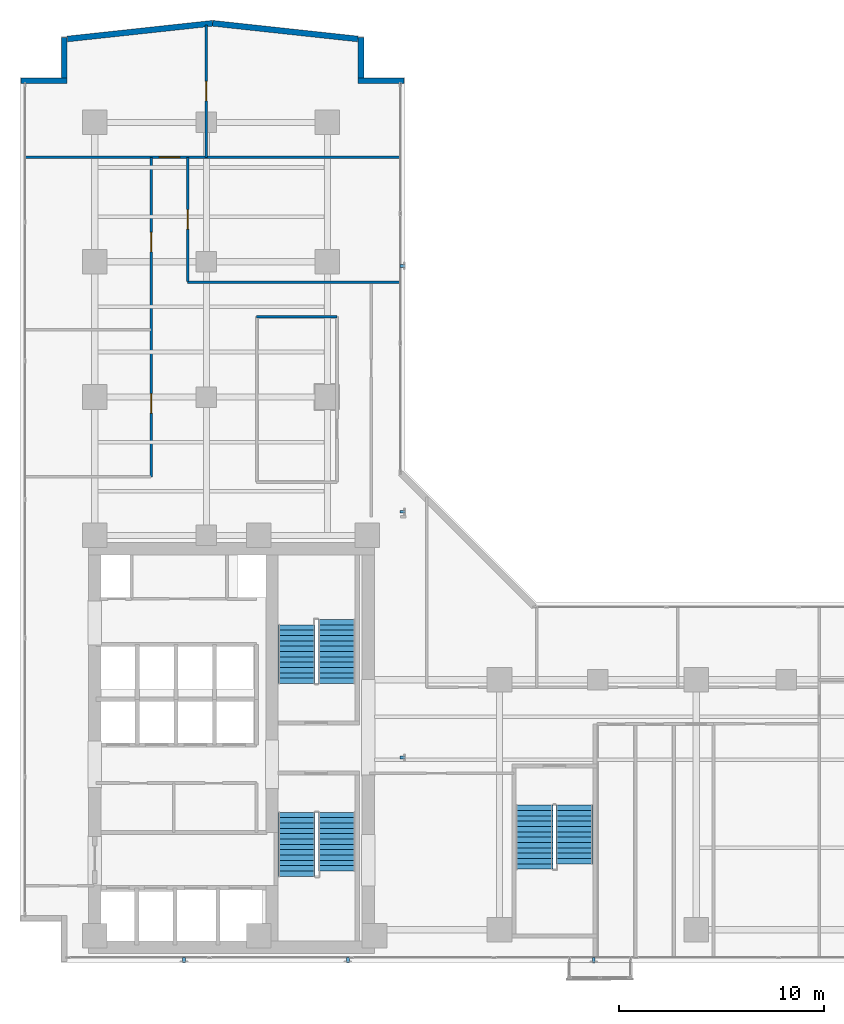
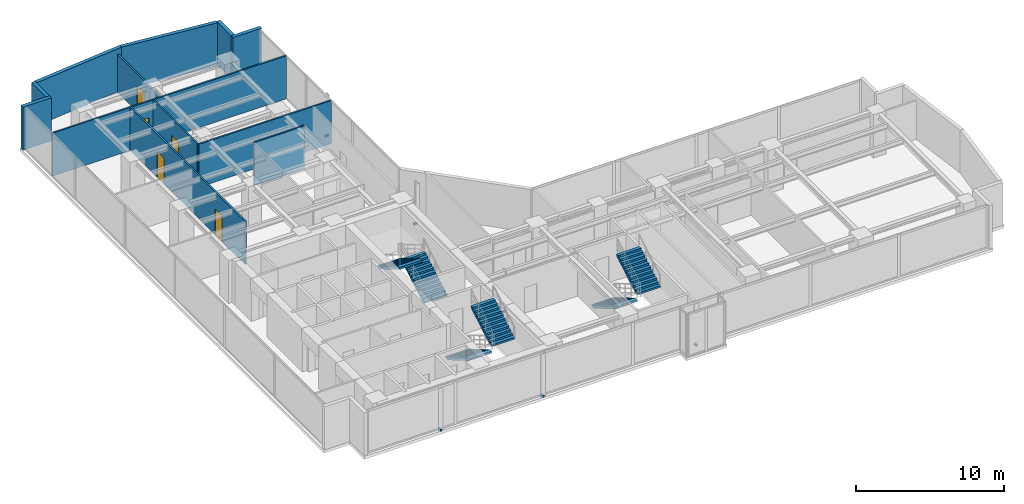
# One storey, part 21 of 23: 12 walls, 6 discrete accessories, 6 stair flights, 5 doors, 5 openings, 3 elements without a shape of their own.
"""IFC4 building model written with IfcOpenShell, lengths in metres."""

from ifc_helpers import new_model, si_unit, direction, frame, frame_2d, origin, origin_with_axes, origin_2d, place, context, subcontext, project, spatial, polyline, rectangle, outline, extrude, source, transform, mapped, material, layer, layer_set, type_object, element, fill, aggregate, save


model = new_model("IFC4")

# Units and contexts
model_context = context("Model", 3, precision=1e-05, world=origin(), true_north=direction((0.0, 1.0)))
body_context = subcontext(model_context, "Body", "Model", "MODEL_VIEW")
ifc_project = project(units=[si_unit("LENGTHUNIT", "METRE"), si_unit("AREAUNIT", "SQUARE_METRE"), si_unit("VOLUMEUNIT", "CUBIC_METRE"), si_unit("PLANEANGLEUNIT", "RADIAN"), si_unit("MASSUNIT", "GRAM", prefix="KILO")], contexts=[model_context])

# Site, building, storey
site_placement = place(None, origin())
site = spatial("IfcSite", under=ifc_project, at=site_placement, CompositionType="ELEMENT")
building_placement = place(site_placement, origin())
building = spatial("IfcBuilding", under=site, at=building_placement, Name="Kolvaren Waterfront Exchange", CompositionType="ELEMENT")
storey_placement = place(building_placement, frame((0.0, 0.0, 188.0)))
storey = spatial("IfcBuildingStorey", under=building, at=storey_placement, Name="L48", CompositionType="ELEMENT", Elevation=188.0)

# Walls
ifc_material_1 = material(Name="Precast concrete C40/50", Category="concrete")
ifc_layer_1 = layer(ifc_material_1, 0.280029296875, Name="Precast concrete C40/50")
ifc_layer_set_1 = layer_set([ifc_layer_1], Name="Precast concrete C40/50")
wall_type_1 = type_object("IfcWallType", Name="ARC-EXT-TERR-280", PredefinedType="SOLIDWALL", material=ifc_layer_set_1)
wall_1_placement = place(storey_placement, frame((20.300048828125, 46.639892578125, 0.0), z_axis=(0.0, 0.0, 1.0), x_axis=(1.0, 0.0, 0.0)))
element("IfcWall", 1, at=wall_1_placement, inside=storey, type_object=wall_type_1, Name="L48 notched corner spandrel pier NNE-A", PredefinedType="SOLIDWALL", context=body_context, shape_type="SweptSolid", body=[
    extrude(rectangle(XDim=2.239990234375, YDim=0.280029296875, at=frame_2d((1.1201171875, 0.0))), origin(), (0.0, 0.0, 1.0), 3.56005859375),
])
wall_2_placement = place(storey_placement, frame((20.43994140625, 46.780029296875, 0.0), z_axis=(0.0, 0.0, 1.0), x_axis=(0.0, 1.0, 0.0)))
element("IfcWall", 2, at=wall_2_placement, inside=storey, type_object=wall_type_1, Name="L48 notched corner spandrel pier NNE-B", PredefinedType="SOLIDWALL", context=body_context, shape_type="SweptSolid", body=[
    extrude(rectangle(XDim=1.9599609375, YDim=0.280029296875, at=frame_2d((0.97998046875, 0.0))), origin(), (0.0, 0.0, 1.0), 3.56005859375),
])
wall_3_placement = place(storey_placement, frame((3.860107421875, 46.639892578125, 0.0), z_axis=(0.0, 0.0, 1.0), x_axis=(1.0, 0.0, 0.0)))
element("IfcWall", 3, at=wall_3_placement, inside=storey, type_object=wall_type_1, Name="L48 notched corner spandrel pier NW-A", PredefinedType="SOLIDWALL", context=body_context, shape_type="SweptSolid", body=[
    extrude(rectangle(XDim=2.239990234375, YDim=0.280029296875, at=frame_2d((1.1201171875, 0.0))), origin(), (0.0, 0.0, 1.0), 3.56005859375),
])
wall_4_placement = place(storey_placement, frame((5.9599609375, 46.780029296875, 0.0), z_axis=(0.0, 0.0, 1.0), x_axis=(0.0, 1.0, 0.0)))
element("IfcWall", 4, at=wall_4_placement, inside=storey, type_object=wall_type_1, Name="L48 notched corner spandrel pier NW-B", PredefinedType="SOLIDWALL", context=body_context, shape_type="SweptSolid", body=[
    extrude(rectangle(XDim=1.9599609375, YDim=0.280029296875, at=frame_2d((0.97998046875, 0.0))), origin(), (0.0, 0.0, 1.0), 3.56005859375),
])
for number, where, z_axis, x_axis, name in (
    (5, (20.284423828125, 48.673095703125, 0.0), (0.0, 0.0, 1.0), (-0.994206651606, 0.107485505548, 0.0), "L48 north prow faceted facade wall 1"),
    (6, (13.197265625, 49.438720703125, 0.0), (0.0, 0.0, 1.0), (-0.994206651606, -0.107485505548, 0.0), "L48 north prow faceted facade wall 2"),
):
    element("IfcWall", number, at=place(storey_placement, frame(where, z_axis=z_axis, x_axis=x_axis)), inside=storey, type_object=wall_type_1, Name=name, PredefinedType="SOLIDWALL", context=body_context, shape_type="SweptSolid", body=[
        extrude(rectangle(XDim=7.123046875, YDim=0.280029296875, at=frame_2d((3.5615234375, 0.0))), origin(), (0.0, 0.0, 1.0), 3.56005859375),
    ])
ifc_material_2 = material(Name="Acoustic gypsum steel stud", Category="steel")
ifc_layer_2 = layer(ifc_material_2, 0.125, Name="Acoustic gypsum steel stud")
ifc_layer_set_2 = layer_set([ifc_layer_2], Name="Acoustic gypsum steel stud")
wall_type_2 = type_object("IfcWallType", Name="ARC-PART-125", PredefinedType="PARTITIONING", material=ifc_layer_set_2)
wall_5_placement = place(storey_placement, frame((15.35009765625, 35.1201171875, 0.0), z_axis=(0.0, 0.0, 1.0), x_axis=(1.0, 0.0, 0.0)))
element("IfcWall", 7, at=wall_5_placement, inside=storey, type_object=wall_type_2, Name="L48 interior wall PW-L48-ISL-N", PredefinedType="PARTITIONING", context=body_context, shape_type="SweptSolid", body=[
    extrude(rectangle(XDim=3.919921875, YDim=0.125, at=frame_2d((1.9599609375, 0.0))), origin(), (0.0, 0.0, 1.0), 3.56005859375),
])
wall_6_placement = place(storey_placement, frame((11.97998046875, 36.800048828125, 0.0), z_axis=(0.0, 0.0, 1.0), x_axis=(1.0, 0.0, 0.0)))
element("IfcWall", 8, at=wall_6_placement, inside=storey, type_object=wall_type_2, Name="L48 interior wall PW-L48-RFLANK-N", PredefinedType="PARTITIONING", context=body_context, shape_type="SweptSolid", body=[
    extrude(rectangle(XDim=10.380126953125, YDim=0.125, at=frame_2d((5.18994140625, 0.0))), origin(), (0.0, 0.0, 1.0), 3.56005859375),
])

# Wall, openings, doors
wall_7_placement = place(storey_placement, frame((10.199951171875, 27.300048828125, 0.0), z_axis=(0.0, 0.0, 1.0), x_axis=(0.0, 1.0, 0.0)))
wall_7 = element("IfcWall", 9, at=wall_7_placement, inside=storey, type_object=wall_type_2, Name="L48 interior wall PW-L48-NW-CORR", PredefinedType="PARTITIONING", context=body_context, shape_type="SweptSolid", body=[
    extrude(rectangle(XDim=15.599853515625, YDim=0.125, at=frame_2d((7.7998046875, 0.0))), origin(), (0.0, 0.0, 1.0), 3.56005859375),
])
opening_1_placement = place(wall_7_placement, frame((3.114990234375, 0.0, 0.0)))
opening_1 = element("IfcOpeningElement", 10, at=opening_1_placement, cuts=wall_7, Name="Opening D02", PredefinedType="OPENING", context=body_context, shape_type="SweptSolid", body=[
    extrude(rectangle(XDim=0.949951171875, YDim=2.14990234375, at=frame_2d((0.47509765625, 1.074951171875))), frame((0.0, 0.072509765625, 0.0), z_axis=(0.0, -1.0, 0.0), x_axis=(1.0, 0.0, 0.0)), (0.0, 0.0, 1.0), 0.14501953125),
])
opening_2_placement = place(wall_7_placement, frame((10.986083984375, 0.0, 0.0)))
opening_2 = element("IfcOpeningElement", 11, at=opening_2_placement, cuts=wall_7, Name="Opening D02", PredefinedType="OPENING", context=body_context, shape_type="SweptSolid", body=[
    extrude(rectangle(XDim=0.949951171875, YDim=2.14990234375, at=frame_2d((0.47509765625, 1.074951171875))), frame((0.0, 0.072509765625, 0.0), z_axis=(0.0, -1.0, 0.0), x_axis=(1.0, 0.0, 0.0)), (0.0, 0.0, 1.0), 0.14501953125),
])
ifc_material_3 = material(Name="Oak veneer acoustic timber", Category="wood")
door_type_1 = type_object("IfcDoorType", Name="ARC-DR-950", OperationType="NOTDEFINED", PredefinedType="DOOR", material=ifc_material_3)
door_1_placement = place(opening_1_placement, origin())
door_1 = element("IfcDoor", 12, at=door_1_placement, inside=storey, type_object=door_type_1, Name="L48 door DR-L48-NW-D-1 (D02)", OperationType="SINGLE_SWING_LEFT", OverallHeight=2.14990234375, OverallWidth=0.949951171875, PredefinedType="DOOR", context=body_context, shape_type="SweptSolid", body=[
    extrude(rectangle(XDim=0.949951171875, YDim=2.14990234375, at=frame_2d((0.47509765625, 1.074951171875))), frame((0.0, 0.02490234375, 0.0), z_axis=(0.0, -1.0, 0.0), x_axis=(1.0, 0.0, 0.0)), (0.0, 0.0, 1.0), 0.050048828125),
])
fill(opening_1, door_1)
door_2_placement = place(opening_2_placement, origin())
door_2 = element("IfcDoor", 13, at=door_2_placement, inside=storey, type_object=door_type_1, Name="L48 door DR-L48-NW-D-2 (D02)", OperationType="SINGLE_SWING_RIGHT", OverallHeight=2.14990234375, OverallWidth=0.949951171875, PredefinedType="DOOR", context=body_context, shape_type="SweptSolid", body=[
    extrude(rectangle(XDim=0.949951171875, YDim=2.14990234375, at=frame_2d((0.47509765625, 1.074951171875))), frame((0.0, 0.02490234375, 0.0), z_axis=(0.0, -1.0, 0.0), x_axis=(1.0, 0.0, 0.0)), (0.0, 0.0, 1.0), 0.050048828125),
])
fill(opening_2, door_2)

# Wall, opening, door
wall_8_placement = place(storey_placement, frame((4.0400390625, 42.89990234375, 0.0), z_axis=(0.0, 0.0, 1.0), x_axis=(1.0, 0.0, 0.0)))
wall_8 = element("IfcWall", 14, at=wall_8_placement, inside=storey, type_object=wall_type_2, Name="L48 interior wall PW-L48-NTIP-S", PredefinedType="PARTITIONING", context=body_context, shape_type="SweptSolid", body=[
    extrude(rectangle(XDim=18.320068359375, YDim=0.125, at=frame_2d((9.16015625, 0.0))), origin(), (0.0, 0.0, 1.0), 3.56005859375),
])
opening_3_placement = place(wall_8_placement, frame((6.550048828125, 0.0, 0.0)))
opening_3 = element("IfcOpeningElement", 15, at=opening_3_placement, cuts=wall_8, Name="Opening D03", PredefinedType="OPENING", context=body_context, shape_type="SweptSolid", body=[
    extrude(rectangle(XDim=1.0, YDim=2.199951171875, at=frame_2d((0.5, 1.10009765625))), frame((0.0, 0.072509765625, 0.0), z_axis=(0.0, -1.0, 0.0), x_axis=(1.0, 0.0, 0.0)), (0.0, 0.0, 1.0), 0.14501953125),
])
ifc_material_4 = material(Name="Oak veneer accessible timber", Category="wood")
door_type_2 = type_object("IfcDoorType", Name="ARC-DR-1000", OperationType="NOTDEFINED", PredefinedType="DOOR", material=ifc_material_4)
door_3_placement = place(opening_3_placement, origin())
door_3 = element("IfcDoor", 16, at=door_3_placement, inside=storey, type_object=door_type_2, Name="L48 door DR-L48-NTIPW-D (D03)", OperationType="SINGLE_SWING_LEFT", OverallHeight=2.199951171875, OverallWidth=1.0, PredefinedType="DOOR", context=body_context, shape_type="SweptSolid", body=[
    extrude(rectangle(XDim=1.0, YDim=2.199951171875, at=frame_2d((0.5, 1.10009765625))), frame((0.0, 0.02490234375, 0.0), z_axis=(0.0, -1.0, 0.0), x_axis=(1.0, 0.0, 0.0)), (0.0, 0.0, 1.0), 0.050048828125),
])
fill(opening_3, door_3)

wall_9_placement = place(storey_placement, frame((12.89990234375, 42.89990234375, 0.0), z_axis=(0.0, 0.0, 1.0), x_axis=(0.0, 1.0, 0.0)))
wall_9 = element("IfcWall", 17, at=wall_9_placement, inside=storey, type_object=wall_type_2, Name="L48 interior wall PW-L48-NTIP-DIV", PredefinedType="PARTITIONING", context=body_context, shape_type="SweptSolid", body=[
    extrude(rectangle(XDim=6.460205078125, YDim=0.125, at=frame_2d((3.22998046875, 0.0))), origin(), (0.0, 0.0, 1.0), 3.110107421875),
])
opening_4_placement = place(wall_9_placement, frame((2.75, 0.0, 0.0)))
opening_4 = element("IfcOpeningElement", 18, at=opening_4_placement, cuts=wall_9, Name="Opening D02", PredefinedType="OPENING", context=body_context, shape_type="SweptSolid", body=[
    extrude(rectangle(XDim=0.949951171875, YDim=2.14990234375, at=frame_2d((0.47509765625, 1.074951171875))), frame((0.0, 0.072509765625, 0.0), z_axis=(0.0, -1.0, 0.0), x_axis=(1.0, 0.0, 0.0)), (0.0, 0.0, 1.0), 0.14501953125),
])
door_4_placement = place(opening_4_placement, origin())
door_4 = element("IfcDoor", 19, at=door_4_placement, inside=storey, type_object=door_type_1, Name="L48 door DR-L48-NTIPE-D (D02)", OperationType="SINGLE_SWING_RIGHT", OverallHeight=2.14990234375, OverallWidth=0.949951171875, PredefinedType="DOOR", context=body_context, shape_type="SweptSolid", body=[
    extrude(rectangle(XDim=0.949951171875, YDim=2.14990234375, at=frame_2d((0.47509765625, 1.074951171875))), frame((0.0, 0.02490234375, 0.0), z_axis=(0.0, -1.0, 0.0), x_axis=(1.0, 0.0, 0.0)), (0.0, 0.0, 1.0), 0.050048828125),
])
fill(opening_4, door_4)

wall_10_placement = place(storey_placement, frame((11.97998046875, 36.85009765625, 0.0), z_axis=(0.0, 0.0, 1.0), x_axis=(0.0, 1.0, 0.0)))
wall_10 = element("IfcWall", 20, at=wall_10_placement, inside=storey, type_object=wall_type_2, Name="L48 interior wall PW-L48-NE-CORR", PredefinedType="PARTITIONING", context=body_context, shape_type="SweptSolid", body=[
    extrude(rectangle(XDim=6.0498046875, YDim=0.125, at=frame_2d((3.02490234375, 0.0))), origin(), (0.0, 0.0, 1.0), 3.56005859375),
])
opening_5_placement = place(wall_10_placement, frame((2.550048828125, 0.0, 0.0)))
opening_5 = element("IfcOpeningElement", 21, at=opening_5_placement, cuts=wall_10, Name="Opening D02", PredefinedType="OPENING", context=body_context, shape_type="SweptSolid", body=[
    extrude(rectangle(XDim=0.949951171875, YDim=2.14990234375, at=frame_2d((0.47509765625, 1.074951171875))), frame((0.0, 0.072509765625, 0.0), z_axis=(0.0, -1.0, 0.0), x_axis=(1.0, 0.0, 0.0)), (0.0, 0.0, 1.0), 0.14501953125),
])
door_5_placement = place(opening_5_placement, origin())
door_5 = element("IfcDoor", 22, at=door_5_placement, inside=storey, type_object=door_type_1, Name="L48 door DR-L48-NE-D-1 (D02)", OperationType="SINGLE_SWING_LEFT", OverallHeight=2.14990234375, OverallWidth=0.949951171875, PredefinedType="DOOR", context=body_context, shape_type="SweptSolid", body=[
    extrude(rectangle(XDim=0.949951171875, YDim=2.14990234375, at=frame_2d((0.47509765625, 1.074951171875))), frame((0.0, 0.02490234375, 0.0), z_axis=(0.0, -1.0, 0.0), x_axis=(1.0, 0.0, 0.0)), (0.0, 0.0, 1.0), 0.050048828125),
])
fill(opening_5, door_5)

# Stair, stair flights
ifc_material_5 = material(Name="Concrete C40/50", Category="concrete")
stair_type = type_object("IfcStairType", Name="ARC-STAIR-3800", PredefinedType="HALF_TURN_STAIR", material=ifc_material_5)
stair_1_placement = place(storey_placement, origin())
stair_1 = element("IfcStair", 23, at=stair_1_placement, inside=storey, type_object=stair_type, Name="L48 Smoke-proof exit stair ST1", PredefinedType="HALF_TURN_STAIR")
stair_flight_type = type_object("IfcStairFlightType", Name="ARC-FLIGHT-3800", PredefinedType="STRAIGHT", material=ifc_material_5)
stair_flight_1_placement = place(storey_placement, frame((17.300048828125, 10.929931640625, 0.0), z_axis=(0.0, 0.0, 1.0), x_axis=(0.0, -1.0, 0.0)))
stair_flight_1 = element("IfcStairFlight", 24, at=stair_flight_1_placement, type_object=stair_flight_type, Name="ST1 flight 1", NumberOfRisers=13, NumberOfTreads=12, PredefinedType="STRAIGHT", RiserHeight=0.152, TreadLength=0.26, context=body_context, shape_type="SweptSolid", body=[
    extrude(outline(polyline([(0.0, 0.0), (0.0, 0.152099609375), (0.260009765625, 0.152099609375), (0.260009765625, 0.303955078125), (0.52001953125, 0.303955078125), (0.52001953125, 0.4560546875), (0.780029296875, 0.4560546875), (0.780029296875, 0.60791015625), (1.0400390625, 0.60791015625), (1.0400390625, 0.760009765625), (1.300048828125, 0.760009765625), (1.300048828125, 0.912109375), (1.56005859375, 0.912109375), (1.56005859375, 1.06396484375), (1.820068359375, 1.06396484375), (1.820068359375, 1.216064453125), (2.080078125, 1.216064453125), (2.080078125, 1.367919921875), (2.340087890625, 1.367919921875), (2.340087890625, 1.52001953125), (2.60009765625, 1.52001953125), (2.60009765625, 1.672119140625), (2.860107421875, 1.672119140625), (2.860107421875, 1.823974609375), (3.1201171875, 1.823974609375), (3.1201171875, 1.97607421875), (3.1201171875, 1.650390625), (0.297119140625, 0.0), (0.0, 0.0)])), frame((0.0, 0.89990234375, 0.0), z_axis=(0.0, -1.0, 0.0), x_axis=(1.0, 0.0, 0.0)), (0.0, 0.0, 1.0), 1.800048828125),
])
stair_flight_2_placement = place(storey_placement, frame((19.260009765625, 8.070068359375, 1.97607421875), z_axis=(0.0, 0.0, 1.0), x_axis=(0.0, 1.0, 0.0)))
stair_flight_2 = element("IfcStairFlight", 25, at=stair_flight_2_placement, type_object=stair_flight_type, Name="ST1 flight 2", NumberOfRisers=12, NumberOfTreads=11, PredefinedType="STRAIGHT", RiserHeight=0.152, TreadLength=0.26, context=body_context, shape_type="SweptSolid", body=[
    extrude(outline(polyline([(0.0, 0.0), (0.0, 0.152099609375), (0.260009765625, 0.152099609375), (0.260009765625, 0.303955078125), (0.52001953125, 0.303955078125), (0.52001953125, 0.4560546875), (0.780029296875, 0.4560546875), (0.780029296875, 0.60791015625), (1.0400390625, 0.60791015625), (1.0400390625, 0.760009765625), (1.300048828125, 0.760009765625), (1.300048828125, 0.912109375), (1.56005859375, 0.912109375), (1.56005859375, 1.06396484375), (1.820068359375, 1.06396484375), (1.820068359375, 1.216064453125), (2.080078125, 1.216064453125), (2.080078125, 1.367919921875), (2.340087890625, 1.367919921875), (2.340087890625, 1.52001953125), (2.60009765625, 1.52001953125), (2.60009765625, 1.672119140625), (2.860107421875, 1.672119140625), (2.860107421875, 1.823974609375), (2.860107421875, 1.498291015625), (0.297119140625, 0.0), (0.0, 0.0)])), frame((0.0, 0.89990234375, 0.0), z_axis=(0.0, -1.0, 0.0), x_axis=(1.0, 0.0, 0.0)), (0.0, 0.0, 1.0), 1.800048828125),
])
aggregate(stair_1, [stair_flight_1, stair_flight_2])

stair_2_placement = place(storey_placement, origin())
stair_2 = element("IfcStair", 26, at=stair_2_placement, inside=storey, type_object=stair_type, Name="L48 Smoke-proof exit stair ST2", PredefinedType="HALF_TURN_STAIR")
stair_flight_3_placement = place(storey_placement, frame((19.260009765625, 17.219970703125, 0.0), z_axis=(0.0, 0.0, 1.0), x_axis=(0.0, 1.0, 0.0)))
stair_flight_3 = element("IfcStairFlight", 27, at=stair_flight_3_placement, type_object=stair_flight_type, Name="ST2 flight 1", NumberOfRisers=13, NumberOfTreads=12, PredefinedType="STRAIGHT", RiserHeight=0.152, TreadLength=0.26, context=body_context, shape_type="SweptSolid", body=[
    extrude(outline(polyline([(0.0, 0.0), (0.0, 0.152099609375), (0.260009765625, 0.152099609375), (0.260009765625, 0.303955078125), (0.52001953125, 0.303955078125), (0.52001953125, 0.4560546875), (0.780029296875, 0.4560546875), (0.780029296875, 0.60791015625), (1.0400390625, 0.60791015625), (1.0400390625, 0.760009765625), (1.300048828125, 0.760009765625), (1.300048828125, 0.912109375), (1.56005859375, 0.912109375), (1.56005859375, 1.06396484375), (1.820068359375, 1.06396484375), (1.820068359375, 1.216064453125), (2.080078125, 1.216064453125), (2.080078125, 1.367919921875), (2.340087890625, 1.367919921875), (2.340087890625, 1.52001953125), (2.60009765625, 1.52001953125), (2.60009765625, 1.672119140625), (2.860107421875, 1.672119140625), (2.860107421875, 1.823974609375), (3.1201171875, 1.823974609375), (3.1201171875, 1.97607421875), (3.1201171875, 1.650390625), (0.297119140625, 0.0), (0.0, 0.0)])), frame((0.0, 0.89990234375, 0.0), z_axis=(0.0, -1.0, 0.0), x_axis=(1.0, 0.0, 0.0)), (0.0, 0.0, 1.0), 1.800048828125),
])
stair_flight_4_placement = place(storey_placement, frame((17.300048828125, 20.080078125, 1.97607421875), z_axis=(0.0, 0.0, 1.0), x_axis=(0.0, -1.0, 0.0)))
stair_flight_4 = element("IfcStairFlight", 28, at=stair_flight_4_placement, type_object=stair_flight_type, Name="ST2 flight 2", NumberOfRisers=12, NumberOfTreads=11, PredefinedType="STRAIGHT", RiserHeight=0.152, TreadLength=0.26, context=body_context, shape_type="SweptSolid", body=[
    extrude(outline(polyline([(0.0, 0.0), (0.0, 0.152099609375), (0.260009765625, 0.152099609375), (0.260009765625, 0.303955078125), (0.52001953125, 0.303955078125), (0.52001953125, 0.4560546875), (0.780029296875, 0.4560546875), (0.780029296875, 0.60791015625), (1.0400390625, 0.60791015625), (1.0400390625, 0.760009765625), (1.300048828125, 0.760009765625), (1.300048828125, 0.912109375), (1.56005859375, 0.912109375), (1.56005859375, 1.06396484375), (1.820068359375, 1.06396484375), (1.820068359375, 1.216064453125), (2.080078125, 1.216064453125), (2.080078125, 1.367919921875), (2.340087890625, 1.367919921875), (2.340087890625, 1.52001953125), (2.60009765625, 1.52001953125), (2.60009765625, 1.672119140625), (2.860107421875, 1.672119140625), (2.860107421875, 1.823974609375), (2.860107421875, 1.498291015625), (0.297119140625, 0.0), (0.0, 0.0)])), frame((0.0, 0.89990234375, 0.0), z_axis=(0.0, -1.0, 0.0), x_axis=(1.0, 0.0, 0.0)), (0.0, 0.0, 1.0), 1.800048828125),
])
aggregate(stair_2, [stair_flight_3, stair_flight_4])

stair_3_placement = place(storey_placement, origin())
stair_3 = element("IfcStair", 29, at=stair_3_placement, inside=storey, type_object=stair_type, Name="L48 Exit stair ST3", PredefinedType="HALF_TURN_STAIR")
stair_flight_5_placement = place(storey_placement, frame((28.89990234375, 11.280029296875, 0.0), z_axis=(0.0, 0.0, 1.0), x_axis=(0.0, -1.0, 0.0)))
stair_flight_5 = element("IfcStairFlight", 30, at=stair_flight_5_placement, type_object=stair_flight_type, Name="ST3 flight 1", NumberOfRisers=13, NumberOfTreads=12, PredefinedType="STRAIGHT", RiserHeight=0.152, TreadLength=0.26, context=body_context, shape_type="SweptSolid", body=[
    extrude(outline(polyline([(0.0, 0.0), (0.0, 0.152099609375), (0.260009765625, 0.152099609375), (0.260009765625, 0.303955078125), (0.52001953125, 0.303955078125), (0.52001953125, 0.4560546875), (0.780029296875, 0.4560546875), (0.780029296875, 0.60791015625), (1.0400390625, 0.60791015625), (1.0400390625, 0.760009765625), (1.300048828125, 0.760009765625), (1.300048828125, 0.912109375), (1.56005859375, 0.912109375), (1.56005859375, 1.06396484375), (1.820068359375, 1.06396484375), (1.820068359375, 1.216064453125), (2.080078125, 1.216064453125), (2.080078125, 1.367919921875), (2.340087890625, 1.367919921875), (2.340087890625, 1.52001953125), (2.60009765625, 1.52001953125), (2.60009765625, 1.672119140625), (2.860107421875, 1.672119140625), (2.860107421875, 1.823974609375), (3.1201171875, 1.823974609375), (3.1201171875, 1.97607421875), (3.1201171875, 1.650390625), (0.297119140625, 0.0), (0.0, 0.0)])), frame((0.0, 0.89990234375, 0.0), z_axis=(0.0, -1.0, 0.0), x_axis=(1.0, 0.0, 0.0)), (0.0, 0.0, 1.0), 1.800048828125),
])
stair_flight_6_placement = place(storey_placement, frame((30.860107421875, 8.419921875, 1.97607421875), z_axis=(0.0, 0.0, 1.0), x_axis=(0.0, 1.0, 0.0)))
stair_flight_6 = element("IfcStairFlight", 31, at=stair_flight_6_placement, type_object=stair_flight_type, Name="ST3 flight 2", NumberOfRisers=12, NumberOfTreads=11, PredefinedType="STRAIGHT", RiserHeight=0.152, TreadLength=0.26, context=body_context, shape_type="SweptSolid", body=[
    extrude(outline(polyline([(0.0, 0.0), (0.0, 0.152099609375), (0.260009765625, 0.152099609375), (0.260009765625, 0.303955078125), (0.52001953125, 0.303955078125), (0.52001953125, 0.4560546875), (0.780029296875, 0.4560546875), (0.780029296875, 0.60791015625), (1.0400390625, 0.60791015625), (1.0400390625, 0.760009765625), (1.300048828125, 0.760009765625), (1.300048828125, 0.912109375), (1.56005859375, 0.912109375), (1.56005859375, 1.06396484375), (1.820068359375, 1.06396484375), (1.820068359375, 1.216064453125), (2.080078125, 1.216064453125), (2.080078125, 1.367919921875), (2.340087890625, 1.367919921875), (2.340087890625, 1.52001953125), (2.60009765625, 1.52001953125), (2.60009765625, 1.672119140625), (2.860107421875, 1.672119140625), (2.860107421875, 1.823974609375), (2.860107421875, 1.498291015625), (0.297119140625, 0.0), (0.0, 0.0)])), frame((0.0, 0.89990234375, 0.0), z_axis=(0.0, -1.0, 0.0), x_axis=(1.0, 0.0, 0.0)), (0.0, 0.0, 1.0), 1.800048828125),
])
aggregate(stair_3, [stair_flight_5, stair_flight_6])

# Discrete accessories
ifc_material_6 = material(Name="Stainless steel 316", Category="steel")
discrete_accessory_type = type_object("IfcDiscreteAccessoryType", Name="ARC-BRK-FIN", PredefinedType="BRACKET", material=ifc_material_6)
shared_shape = source(origin_with_axes(), body_context, "Body", "SweptSolid", [
    extrude(rectangle(XDim=0.280029296875, YDim=0.139892578125, at=origin_2d()), origin(), (0.0, 0.0, 1.0), 0.159912109375),
])
for number, where, z_axis, x_axis, name in (
    (32, (11.800048828125, 3.719970703125, 0.0), (0.0, 0.0, 1.0), (0.0, -1.0, 0.0), "L48 bronze fin anchor bracket FIN-L48-S1"),
    (33, (19.800048828125, 3.719970703125, 0.0), (0.0, 0.0, 1.0), (0.0, -1.0, 0.0), "L48 bronze fin anchor bracket FIN-L48-S2"),
    (34, (31.800048828125, 3.719970703125, 0.0), (0.0, 0.0, 1.0), (0.0, -1.0, 0.0), "L48 bronze fin anchor bracket FIN-L48-S3"),
    (35, (22.47998046875, 13.60009765625, 0.0), (0.0, 0.0, 1.0), (1.0, 0.0, 0.0), "L48 bronze fin anchor bracket FIN-L48-E1"),
    (36, (22.47998046875, 25.60009765625, 0.0), (0.0, 0.0, 1.0), (1.0, 0.0, 0.0), "L48 bronze fin anchor bracket FIN-L48-E2"),
    (37, (22.47998046875, 37.60009765625, 0.0), (0.0, 0.0, 1.0), (1.0, 0.0, 0.0), "L48 bronze fin anchor bracket FIN-L48-E3"),
):
    element("IfcDiscreteAccessory", number, at=place(storey_placement, frame(where, z_axis=z_axis, x_axis=x_axis)), inside=storey, type_object=discrete_accessory_type, Name=name, PredefinedType="BRACKET", context=body_context, shape_type="MappedRepresentation", body=[
        mapped(shared_shape, transform((0.0, 0.0, 0.0), x_axis=(1.0, 0.0, 0.0), y_axis=(0.0, 1.0, 0.0), z_axis=(0.0, 0.0, 1.0), scale=1.0)),
    ])

save(model, "model.ifc")
